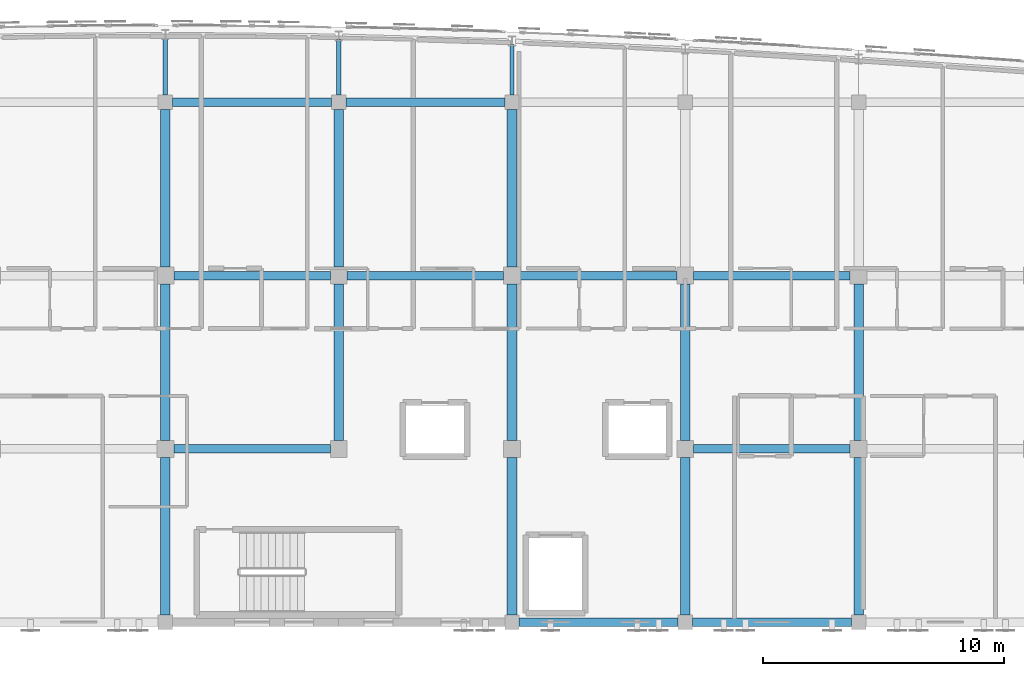
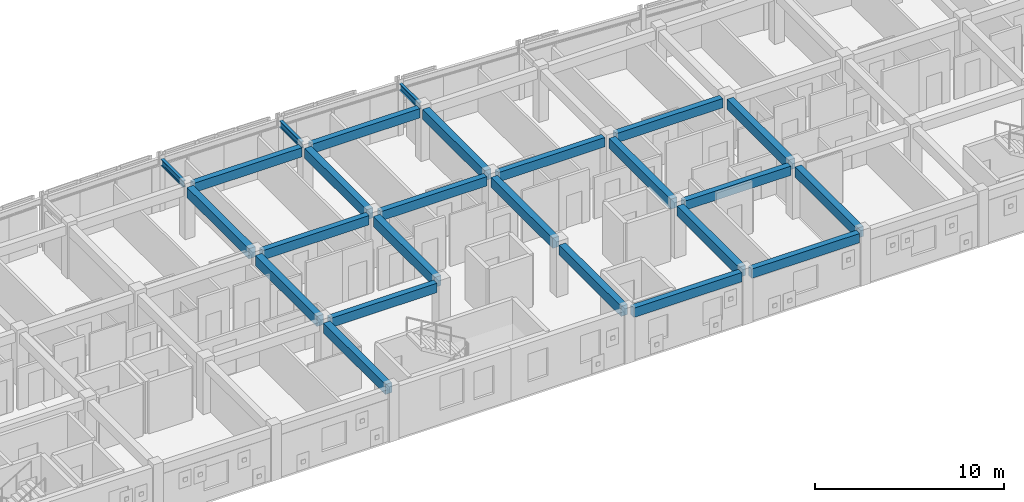
# One storey, part 17 of 48: 25 beams.
"""IFC4 building model written with IfcOpenShell, lengths in metres."""

import ifcopenshell
import ifcopenshell.guid

model = None  # the IFC model being written
_history = None  # IfcOwnerHistory: only IFC2X3 demands one
_inside = {}  # id of a spatial element -> (the spatial element, [elements in it])
_under = {}  # id of a project, library or spatial element -> (it, [spatial elements below it])
_declared = {}  # id of a project -> (the project, [libraries it declares])
_typed = {}  # id of a type object -> (the type object, [elements of that type])
_made_of = {}  # id of a material, layer set ... -> (it, [elements and type objects made of it])


def new_model(schema):
    """Start an empty IFC model of exactly this schema.

    Asked for "IFC4X3", IfcOpenShell would pick the latest addendum, in which some entities
    have other attributes; the version numbers below select the first issue.
    IFC2X3 requires an IfcOwnerHistory on every rooted entity: one is made here for all.
    """
    global model, _history
    if schema == "IFC4X3":
        model = ifcopenshell.file(schema_version=(4, 3, 0, 0))
    else:
        model = ifcopenshell.file(schema=schema)
    _inside.clear()
    _under.clear()
    _declared.clear()
    _typed.clear()
    _made_of.clear()
    _history = None
    if model.schema == "IFC2X3":
        org = make("IfcOrganization", Name="unknown")
        user = make(
            "IfcPersonAndOrganization",
            ThePerson=make("IfcPerson", FamilyName="unknown"),
            TheOrganization=org,
        )
        app = make(
            "IfcApplication",
            ApplicationDeveloper=org,
            Version="unknown",
            ApplicationFullName="unknown",
            ApplicationIdentifier="unknown",
        )
        _history = make(
            "IfcOwnerHistory",
            OwningUser=user,
            OwningApplication=app,
            ChangeAction="ADDED",
            CreationDate=0,
        )
    return model


def make(cls, **values):
    """One entity of the class cls with the attributes given. An attribute that is None is left unset."""
    return model.create_entity(
        cls, **{name: value for name, value in values.items() if value is not None}
    )


def rooted(cls, **values):
    """An entity with a GlobalId (a new one), such as an element, a storey or a relation."""
    return make(cls, GlobalId=ifcopenshell.guid.new(), OwnerHistory=_history, **values)


def si_unit(unit_type, name, prefix=None):
    """IfcSIUnit, for example si_unit("LENGTHUNIT", "METRE", prefix="MILLI")."""
    return make("IfcSIUnit", UnitType=unit_type, Prefix=prefix, Name=name)


def assignment(units):
    """IfcUnitAssignment: the units of a project."""
    return None if units is None else make("IfcUnitAssignment", Units=units)


def point(xyz):
    """IfcCartesianPoint."""
    return None if xyz is None else make("IfcCartesianPoint", Coordinates=xyz)


def direction(xyz):
    """IfcDirection."""
    return None if xyz is None else make("IfcDirection", DirectionRatios=xyz)


def frame(location, z_axis=None, x_axis=None):
    """IfcAxis2Placement3D, a coordinate frame: its origin and axes. An axis left out is left unset."""
    return make(
        "IfcAxis2Placement3D",
        Location=point(location),
        Axis=direction(z_axis),
        RefDirection=direction(x_axis),
    )


def frame_2d(location, x_axis=None):
    """IfcAxis2Placement2D, a coordinate frame in the plane: its origin and x axis."""
    return make(
        "IfcAxis2Placement2D", Location=point(location), RefDirection=direction(x_axis)
    )


def origin():
    """The frame at (0, 0, 0) with its axes left unset."""
    return frame((0.0, 0.0, 0.0))


def origin_2d():
    """The frame at (0, 0) in the plane with its x axis left unset."""
    return frame_2d((0.0, 0.0))


def place(relative_to, where):
    """IfcLocalPlacement: puts the frame where relative to a parent placement (None: the world)."""
    return make(
        "IfcLocalPlacement", PlacementRelTo=relative_to, RelativePlacement=where
    )


def context(
    kind, dimensions, precision=None, world=None, true_north=None, identifier=None
):
    """IfcGeometricRepresentationContext, for example the 3D "Model" context."""
    return make(
        "IfcGeometricRepresentationContext",
        ContextIdentifier=identifier,
        ContextType=kind,
        CoordinateSpaceDimension=dimensions,
        Precision=precision,
        WorldCoordinateSystem=world,
        TrueNorth=true_north,
    )


def subcontext(parent, identifier, kind, view, scale=None):
    """IfcGeometricRepresentationSubContext, for example "Body" below "Model"."""
    return make(
        "IfcGeometricRepresentationSubContext",
        ContextIdentifier=identifier,
        ContextType=kind,
        ParentContext=parent,
        TargetScale=scale,
        TargetView=view,
    )


def project(units=None, contexts=None):
    """IfcProject with its units and contexts."""
    return rooted(
        "IfcProject",
        Name="project",
        RepresentationContexts=contexts,
        UnitsInContext=assignment(units),
    )


def spatial(cls, under=None, at=None, **own):
    """A site, building, storey or space (cls), placed at a placement, below another one or the project."""
    s = rooted(cls, ObjectPlacement=at, **own)
    if under is not None:
        _under.setdefault(under.id(), (under, []))[1].append(s)
    return s


def profile(cls, at=None, kind="AREA", **sizes):
    """A parametric profile (cls). Its sizes go by their IFC names, for example OverallWidth=200.0."""
    return make(cls, ProfileType=kind, Position=at, **sizes)


def rectangle(**sizes):
    """IfcRectangleProfileDef."""
    return profile("IfcRectangleProfileDef", **sizes)


def i_section(**sizes):
    """IfcIShapeProfileDef."""
    return profile("IfcIShapeProfileDef", **sizes)


def extrude(swept, where, along, depth):
    """IfcExtrudedAreaSolid: the profile swept, set in the frame where, extruded along a direction by depth."""
    return make(
        "IfcExtrudedAreaSolid",
        SweptArea=swept,
        Position=where,
        ExtrudedDirection=direction(along),
        Depth=depth,
    )


def shape(context_of_items, identifier, shape_type, items):
    """IfcShapeRepresentation: the items that make up one representation, for example the "Body"."""
    return make(
        "IfcShapeRepresentation",
        ContextOfItems=context_of_items,
        RepresentationIdentifier=identifier,
        RepresentationType=shape_type,
        Items=items,
    )


def material(Name=None, Category=None):
    """IfcMaterial."""
    return make("IfcMaterial", Name=Name, Category=Category)


def material_profile(
    of_material, cross_section, Name=None, Category=None, Priority=None
):
    """IfcMaterialProfile: a cross section and its material."""
    return make(
        "IfcMaterialProfile",
        Name=Name,
        Material=of_material,
        Profile=cross_section,
        Priority=Priority,
        Category=Category,
    )


def profile_set(profiles, Name=None, composite=None):
    """IfcMaterialProfileSet."""
    return make(
        "IfcMaterialProfileSet",
        Name=Name,
        MaterialProfiles=profiles,
        CompositeProfile=composite,
    )


def made_of(thing, what):
    """Note that an element or type object is made of a material, layer set ...; save() writes the relation."""
    if what is not None:
        _made_of.setdefault(what.id(), (what, []))[1].append(thing)
    return thing


def type_object(cls, material=None, **own):
    """A type object (cls), such as IfcWallType, which elements share."""
    return made_of(rooted(cls, **own), material)


def element(
    cls,
    number,
    at=None,
    inside=None,
    cuts=None,
    type_object=None,
    material=None,
    context=None,
    identifier="Body",
    shape_type=None,
    held_by="IfcProductDefinitionShape",
    body=None,
    shapes=None,
    **own,
):
    """One element of the class cls, such as IfcWall. Its Tag is "e" and its number.

    at: its placement. inside: the storey or other place that contains it. cuts: it is an
    opening in that element (IfcRelVoidsElement). A single representation is given by context,
    identifier, shape_type and body (its items); several are given by shapes. held_by: the class
    of the entity that holds the representations. save() writes the other relations.
    """
    e = rooted(cls, Tag="e%d" % number, ObjectPlacement=at, **own)
    if body is not None:
        shapes = [shape(context, identifier, shape_type, body)]
    if shapes is not None:
        e.Representation = make(held_by, Representations=shapes)
    if inside is not None:
        _inside.setdefault(inside.id(), (inside, []))[1].append(e)
    if cuts is not None:
        rooted(
            "IfcRelVoidsElement", RelatingBuildingElement=cuts, RelatedOpeningElement=e
        )
    if type_object is not None:
        _typed.setdefault(type_object.id(), (type_object, []))[1].append(e)
    return made_of(e, material)


def aggregate(whole, parts):
    """IfcRelAggregates: a whole, such as a stair, and the parts it consists of."""
    return rooted("IfcRelAggregates", RelatingObject=whole, RelatedObjects=parts)


def save(model, path):
    """Write the relations noted so far, then the file.

    IfcRelAggregates (storeys below a building ...), IfcRelContainedInSpatialStructure (elements
    in a storey), IfcRelDefinesByType, IfcRelAssociatesMaterial and IfcRelDeclares: one each for
    every whole, place, type object, material and project.
    """
    for whole, parts in _under.values():
        aggregate(whole, parts)
    for where, things in _inside.values():
        rooted(
            "IfcRelContainedInSpatialStructure",
            RelatedElements=things,
            RelatingStructure=where,
        )
    for kind, things in _typed.values():
        rooted("IfcRelDefinesByType", RelatedObjects=things, RelatingType=kind)
    for what, things in _made_of.values():
        rooted("IfcRelAssociatesMaterial", RelatedObjects=things, RelatingMaterial=what)
    for by, libraries in _declared.values():
        rooted("IfcRelDeclares", RelatingContext=by, RelatedDefinitions=libraries)
    model.write(path)


model = new_model("IFC4")

# Units and contexts
model_context = context("Model", 3, precision=1e-05, world=origin(), true_north=direction((0.0, 1.0)))
body_context = subcontext(model_context, "Body", "Model", "MODEL_VIEW")
ifc_project = project(units=[si_unit("LENGTHUNIT", "METRE"), si_unit("AREAUNIT", "SQUARE_METRE"), si_unit("VOLUMEUNIT", "CUBIC_METRE"), si_unit("PLANEANGLEUNIT", "RADIAN"), si_unit("MASSUNIT", "GRAM", prefix="KILO")], contexts=[model_context])

# Site, building, storey
site_placement = place(None, origin())
site = spatial("IfcSite", under=ifc_project, at=site_placement, CompositionType="ELEMENT")
building_placement = place(site_placement, origin())
building = spatial("IfcBuilding", under=site, at=building_placement, Name="Carrowvane Square Congress Hotel", CompositionType="ELEMENT")
storey_placement = place(building_placement, frame((0.0, 0.0, 26.39990234375)))
storey = spatial("IfcBuildingStorey", under=building, at=storey_placement, Name="L06", CompositionType="ELEMENT", Elevation=26.39990234375)

# Beams
ifc_material_1 = material(Name="Concrete C35/45", Category="concrete")
ifc_material_profile_1 = material_profile(ifc_material_1, rectangle(XDim=0.35009765625, YDim=0.60009765625, at=origin_2d()), Name="RC 350x600")
ifc_profile_set_1 = profile_set([ifc_material_profile_1], Name="Concrete C35/45")
beam_type_1 = type_object("IfcBeamType", Name="BM-RC-350x600", PredefinedType="BEAM", material=ifc_profile_set_1)
for number, where, z_axis, x_axis, name in (
    (1, (112.699951171875, 91.800048828125, 3.050048828125), (1.0, 0.0, 0.0), (0.0, 1.0, 0.0), "L07 girder N/15-16"),
    (2, (119.89990234375, 91.800048828125, 3.050048828125), (1.0, 0.0, 0.0), (0.0, 1.0, 0.0), "L07 girder N/16-17"),
):
    element("IfcBeam", number, at=place(storey_placement, frame(where, z_axis=z_axis, x_axis=x_axis)), inside=storey, type_object=beam_type_1, Name=name, PredefinedType="BEAM", context=body_context, shape_type="SweptSolid", body=[
        extrude(rectangle(XDim=0.35009765625, YDim=0.60009765625, at=origin_2d()), origin(), (0.0, 0.0, 1.0), 6.60009765625),
    ])
for number, where, z_axis, x_axis, name in (
    (3, (98.35009765625, 99.0, 3.050048828125), (1.0, 0.0, 0.0), (0.0, 1.0, 0.0), "L07 girder P/13-14"),
    (4, (119.949951171875, 99.0, 3.050048828125), (1.0, 0.0, 0.0), (0.0, 1.0, 0.0), "L07 girder P/16-17"),
    (5, (98.35009765625, 106.199951171875, 3.050048828125), (1.0, 0.0, 0.0), (0.0, 1.0, 0.0), "L07 girder Q/13-14"),
    (6, (105.550048828125, 106.199951171875, 3.050048828125), (1.0, 0.0, 0.0), (0.0, 1.0, 0.0), "L07 girder Q/14-15"),
    (7, (112.75, 106.199951171875, 3.050048828125), (1.0, 0.0, 0.0), (0.0, 1.0, 0.0), "L07 girder Q/15-16"),
    (8, (119.949951171875, 106.199951171875, 3.050048828125), (1.0, 0.0, 0.0), (0.0, 1.0, 0.0), "L07 girder Q/16-17"),
):
    element("IfcBeam", number, at=place(storey_placement, frame(where, z_axis=z_axis, x_axis=x_axis)), inside=storey, type_object=beam_type_1, Name=name, PredefinedType="BEAM", context=body_context, shape_type="SweptSolid", body=[
        extrude(rectangle(XDim=0.35009765625, YDim=0.60009765625, at=origin_2d()), origin(), (0.0, 0.0, 1.0), 6.5),
    ])
beam_1_placement = place(storey_placement, frame((98.300048828125, 113.39990234375, 3.050048828125), z_axis=(1.0, 0.0, 0.0), x_axis=(0.0, 1.0, 0.0)))
element("IfcBeam", 9, at=beam_1_placement, inside=storey, type_object=beam_type_1, Name="L07 girder R/13-14", PredefinedType="BEAM", context=body_context, shape_type="SweptSolid", body=[
    extrude(rectangle(XDim=0.35009765625, YDim=0.60009765625, at=origin_2d()), origin(), (0.0, 0.0, 1.0), 6.599853515625),
])
beam_2_placement = place(storey_placement, frame((105.5, 113.39990234375, 3.050048828125), z_axis=(1.0, 0.0, 0.0), x_axis=(0.0, 1.0, 0.0)))
element("IfcBeam", 10, at=beam_2_placement, inside=storey, type_object=beam_type_1, Name="L07 girder R/14-15", PredefinedType="BEAM", context=body_context, shape_type="SweptSolid", body=[
    extrude(rectangle(XDim=0.35009765625, YDim=0.60009765625, at=origin_2d()), origin(), (0.0, 0.0, 1.0), 6.60009765625),
])
ifc_material_2 = material(Name="Concrete C35/45", Category="concrete")
ifc_material_profile_2 = material_profile(ifc_material_2, rectangle(XDim=0.39990234375, YDim=0.64990234375, at=origin_2d()), Name="RC 400x650")
ifc_profile_set_2 = profile_set([ifc_material_profile_2], Name="Concrete C35/45")
beam_type_2 = type_object("IfcBeamType", Name="BM-RC-400x650", PredefinedType="BEAM", material=ifc_profile_set_2)
beam_3_placement = place(storey_placement, frame((98.0, 92.10009765625, 3.025146484375), z_axis=(0.0, 1.0, 0.0), x_axis=(-1.0, 0.0, 0.0)))
element("IfcBeam", 11, at=beam_3_placement, inside=storey, type_object=beam_type_2, Name="L07 girder 13/N-P", PredefinedType="BEAM", context=body_context, shape_type="SweptSolid", body=[
    extrude(rectangle(XDim=0.39990234375, YDim=0.64990234375, at=origin_2d()), origin(), (0.0, 0.0, 1.0), 6.5498046875),
])
beam_4_placement = place(storey_placement, frame((98.0, 99.35009765625, 3.025146484375), z_axis=(0.0, 1.0, 0.0), x_axis=(-1.0, 0.0, 0.0)))
element("IfcBeam", 12, at=beam_4_placement, inside=storey, type_object=beam_type_2, Name="L07 girder 13/P-Q", PredefinedType="BEAM", context=body_context, shape_type="SweptSolid", body=[
    extrude(rectangle(XDim=0.39990234375, YDim=0.64990234375, at=origin_2d()), origin(), (0.0, 0.0, 1.0), 6.5),
])
beam_5_placement = place(storey_placement, frame((98.0, 106.550048828125, 3.025146484375), z_axis=(0.0, 1.0, 0.0), x_axis=(-1.0, 0.0, 0.0)))
element("IfcBeam", 13, at=beam_5_placement, inside=storey, type_object=beam_type_2, Name="L07 girder 13/Q-R", PredefinedType="BEAM", context=body_context, shape_type="SweptSolid", body=[
    extrude(rectangle(XDim=0.39990234375, YDim=0.64990234375, at=origin_2d()), origin(), (0.0, 0.0, 1.0), 6.550048828125),
])
beam_6_placement = place(storey_placement, frame((105.199951171875, 99.35009765625, 3.025146484375), z_axis=(0.0, 1.0, 0.0), x_axis=(-1.0, 0.0, 0.0)))
element("IfcBeam", 14, at=beam_6_placement, inside=storey, type_object=beam_type_2, Name="L07 girder 14/P-Q", PredefinedType="BEAM", context=body_context, shape_type="SweptSolid", body=[
    extrude(rectangle(XDim=0.39990234375, YDim=0.64990234375, at=origin_2d()), origin(), (0.0, 0.0, 1.0), 6.5),
])
beam_7_placement = place(storey_placement, frame((105.199951171875, 106.550048828125, 3.025146484375), z_axis=(0.0, 1.0, 0.0), x_axis=(-1.0, 0.0, 0.0)))
element("IfcBeam", 15, at=beam_7_placement, inside=storey, type_object=beam_type_2, Name="L07 girder 14/Q-R", PredefinedType="BEAM", context=body_context, shape_type="SweptSolid", body=[
    extrude(rectangle(XDim=0.39990234375, YDim=0.64990234375, at=origin_2d()), origin(), (0.0, 0.0, 1.0), 6.550048828125),
])
beam_8_placement = place(storey_placement, frame((112.39990234375, 92.10009765625, 3.025146484375), z_axis=(0.0, 1.0, 0.0), x_axis=(-1.0, 0.0, 0.0)))
element("IfcBeam", 16, at=beam_8_placement, inside=storey, type_object=beam_type_2, Name="L07 girder 15/N-P", PredefinedType="BEAM", context=body_context, shape_type="SweptSolid", body=[
    extrude(rectangle(XDim=0.39990234375, YDim=0.64990234375, at=origin_2d()), origin(), (0.0, 0.0, 1.0), 6.5498046875),
])
beam_9_placement = place(storey_placement, frame((112.39990234375, 99.35009765625, 3.025146484375), z_axis=(0.0, 1.0, 0.0), x_axis=(-1.0, 0.0, 0.0)))
element("IfcBeam", 17, at=beam_9_placement, inside=storey, type_object=beam_type_2, Name="L07 girder 15/P-Q", PredefinedType="BEAM", context=body_context, shape_type="SweptSolid", body=[
    extrude(rectangle(XDim=0.39990234375, YDim=0.64990234375, at=origin_2d()), origin(), (0.0, 0.0, 1.0), 6.5),
])
beam_10_placement = place(storey_placement, frame((112.39990234375, 106.550048828125, 3.025146484375), z_axis=(0.0, 1.0, 0.0), x_axis=(-1.0, 0.0, 0.0)))
element("IfcBeam", 18, at=beam_10_placement, inside=storey, type_object=beam_type_2, Name="L07 girder 15/Q-R", PredefinedType="BEAM", context=body_context, shape_type="SweptSolid", body=[
    extrude(rectangle(XDim=0.39990234375, YDim=0.64990234375, at=origin_2d()), origin(), (0.0, 0.0, 1.0), 6.550048828125),
])
beam_11_placement = place(storey_placement, frame((119.60009765625, 92.10009765625, 3.025146484375), z_axis=(0.0, 1.0, 0.0), x_axis=(-1.0, 0.0, 0.0)))
element("IfcBeam", 19, at=beam_11_placement, inside=storey, type_object=beam_type_2, Name="L07 girder 16/N-P", PredefinedType="BEAM", context=body_context, shape_type="SweptSolid", body=[
    extrude(rectangle(XDim=0.39990234375, YDim=0.64990234375, at=origin_2d()), origin(), (0.0, 0.0, 1.0), 6.5498046875),
])
beam_12_placement = place(storey_placement, frame((119.60009765625, 99.35009765625, 3.025146484375), z_axis=(0.0, 1.0, 0.0), x_axis=(-1.0, 0.0, 0.0)))
element("IfcBeam", 20, at=beam_12_placement, inside=storey, type_object=beam_type_2, Name="L07 girder 16/P-Q", PredefinedType="BEAM", context=body_context, shape_type="SweptSolid", body=[
    extrude(rectangle(XDim=0.39990234375, YDim=0.64990234375, at=origin_2d()), origin(), (0.0, 0.0, 1.0), 6.5),
])
beam_13_placement = place(storey_placement, frame((126.800048828125, 92.10009765625, 3.025146484375), z_axis=(0.0, 1.0, 0.0), x_axis=(-1.0, 0.0, 0.0)))
element("IfcBeam", 21, at=beam_13_placement, inside=storey, type_object=beam_type_2, Name="L07 girder 17/N-P", PredefinedType="BEAM", context=body_context, shape_type="SweptSolid", body=[
    extrude(rectangle(XDim=0.39990234375, YDim=0.64990234375, at=origin_2d()), origin(), (0.0, 0.0, 1.0), 6.5498046875),
])
beam_14_placement = place(storey_placement, frame((126.800048828125, 99.35009765625, 3.025146484375), z_axis=(0.0, 1.0, 0.0), x_axis=(-1.0, 0.0, 0.0)))
element("IfcBeam", 22, at=beam_14_placement, inside=storey, type_object=beam_type_2, Name="L07 girder 17/P-Q", PredefinedType="BEAM", context=body_context, shape_type="SweptSolid", body=[
    extrude(rectangle(XDim=0.39990234375, YDim=0.64990234375, at=origin_2d()), origin(), (0.0, 0.0, 1.0), 6.5),
])
ifc_material_3 = material(Name="Steel S355", Category="steel")
ifc_material_profile_3 = material_profile(ifc_material_3, i_section(OverallWidth=0.1787109375, OverallDepth=0.409423828125, WebThickness=0.0087890625, FlangeThickness=0.014404296875, FilletRadius=0.01025390625, at=origin_2d()), Name="UKB 406x178x67")
ifc_profile_set_3 = profile_set([ifc_material_profile_3], Name="Steel S355")
beam_type_3 = type_object("IfcBeamType", Name="BM-ST-UKB406", PredefinedType="BEAM", material=ifc_profile_set_3)
beam_15_placement = place(storey_placement, frame((98.0, 113.699951171875, 3.1455078125), z_axis=(0.0, 1.0, 0.0), x_axis=(-1.0, 0.0, 0.0)))
element("IfcBeam", 23, at=beam_15_placement, inside=storey, type_object=beam_type_3, Name="L07 radial north beam 13", PredefinedType="BEAM", context=body_context, shape_type="SweptSolid", body=[
    extrude(i_section(OverallWidth=0.1787109375, OverallDepth=0.409423828125, WebThickness=0.0087890625, FlangeThickness=0.014404296875, FilletRadius=0.01025390625, at=origin_2d()), origin(), (0.0, 0.0, 1.0), 2.3701171875),
])
beam_16_placement = place(storey_placement, frame((105.199951171875, 113.699951171875, 3.1455078125), z_axis=(0.0, 1.0, 0.0), x_axis=(-1.0, 0.0, 0.0)))
element("IfcBeam", 24, at=beam_16_placement, inside=storey, type_object=beam_type_3, Name="L07 radial north beam 14", PredefinedType="BEAM", context=body_context, shape_type="SweptSolid", body=[
    extrude(i_section(OverallWidth=0.1787109375, OverallDepth=0.409423828125, WebThickness=0.0087890625, FlangeThickness=0.014404296875, FilletRadius=0.01025390625, at=origin_2d()), origin(), (0.0, 0.0, 1.0), 2.2998046875),
])
beam_17_placement = place(storey_placement, frame((112.39990234375, 113.699951171875, 3.1455078125), z_axis=(0.0, 1.0, 0.0), x_axis=(-1.0, 0.0, 0.0)))
element("IfcBeam", 25, at=beam_17_placement, inside=storey, type_object=beam_type_3, Name="L07 radial north beam 15", PredefinedType="BEAM", context=body_context, shape_type="SweptSolid", body=[
    extrude(i_section(OverallWidth=0.1787109375, OverallDepth=0.409423828125, WebThickness=0.0087890625, FlangeThickness=0.014404296875, FilletRadius=0.01025390625, at=origin_2d()), origin(), (0.0, 0.0, 1.0), 2.093994140625),
])

save(model, "model.ifc")
